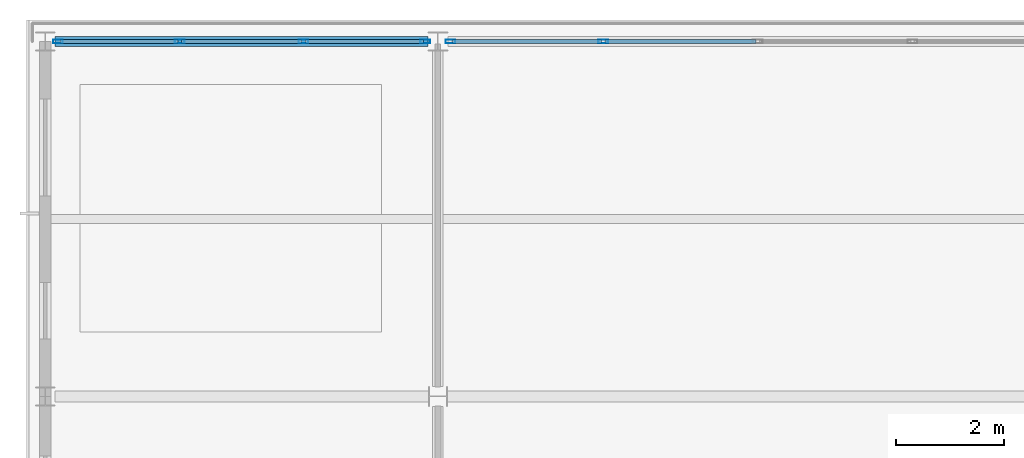
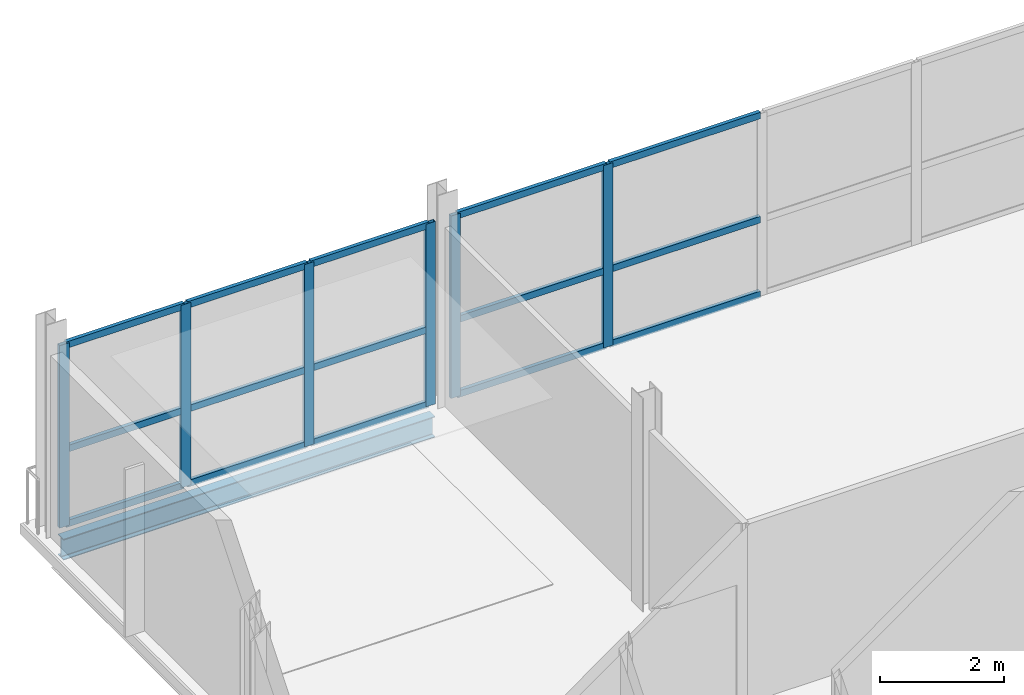
# One storey, part 7 of 17: 21 members, 1 beam, 2 elements without a shape of their own.
"""IFC4 building model written with IfcOpenShell, lengths in metres."""

import ifcopenshell
import ifcopenshell.guid

model = None  # the IFC model being written
_history = None  # IfcOwnerHistory: only IFC2X3 demands one
_inside = {}  # id of a spatial element -> (the spatial element, [elements in it])
_under = {}  # id of a project, library or spatial element -> (it, [spatial elements below it])
_declared = {}  # id of a project -> (the project, [libraries it declares])
_typed = {}  # id of a type object -> (the type object, [elements of that type])
_made_of = {}  # id of a material, layer set ... -> (it, [elements and type objects made of it])


def new_model(schema):
    """Start an empty IFC model of exactly this schema.

    Asked for "IFC4X3", IfcOpenShell would pick the latest addendum, in which some entities
    have other attributes; the version numbers below select the first issue.
    IFC2X3 requires an IfcOwnerHistory on every rooted entity: one is made here for all.
    """
    global model, _history
    if schema == "IFC4X3":
        model = ifcopenshell.file(schema_version=(4, 3, 0, 0))
    else:
        model = ifcopenshell.file(schema=schema)
    _inside.clear()
    _under.clear()
    _declared.clear()
    _typed.clear()
    _made_of.clear()
    _history = None
    if model.schema == "IFC2X3":
        org = make("IfcOrganization", Name="unknown")
        user = make(
            "IfcPersonAndOrganization",
            ThePerson=make("IfcPerson", FamilyName="unknown"),
            TheOrganization=org,
        )
        app = make(
            "IfcApplication",
            ApplicationDeveloper=org,
            Version="unknown",
            ApplicationFullName="unknown",
            ApplicationIdentifier="unknown",
        )
        _history = make(
            "IfcOwnerHistory",
            OwningUser=user,
            OwningApplication=app,
            ChangeAction="ADDED",
            CreationDate=0,
        )
    return model


def make(cls, **values):
    """One entity of the class cls with the attributes given. An attribute that is None is left unset."""
    return model.create_entity(
        cls, **{name: value for name, value in values.items() if value is not None}
    )


def rooted(cls, **values):
    """An entity with a GlobalId (a new one), such as an element, a storey or a relation."""
    return make(cls, GlobalId=ifcopenshell.guid.new(), OwnerHistory=_history, **values)


def si_unit(unit_type, name, prefix=None):
    """IfcSIUnit, for example si_unit("LENGTHUNIT", "METRE", prefix="MILLI")."""
    return make("IfcSIUnit", UnitType=unit_type, Prefix=prefix, Name=name)


def assignment(units):
    """IfcUnitAssignment: the units of a project."""
    return None if units is None else make("IfcUnitAssignment", Units=units)


def point(xyz):
    """IfcCartesianPoint."""
    return None if xyz is None else make("IfcCartesianPoint", Coordinates=xyz)


def direction(xyz):
    """IfcDirection."""
    return None if xyz is None else make("IfcDirection", DirectionRatios=xyz)


def frame(location, z_axis=None, x_axis=None):
    """IfcAxis2Placement3D, a coordinate frame: its origin and axes. An axis left out is left unset."""
    return make(
        "IfcAxis2Placement3D",
        Location=point(location),
        Axis=direction(z_axis),
        RefDirection=direction(x_axis),
    )


def frame_2d(location, x_axis=None):
    """IfcAxis2Placement2D, a coordinate frame in the plane: its origin and x axis."""
    return make(
        "IfcAxis2Placement2D", Location=point(location), RefDirection=direction(x_axis)
    )


def origin():
    """The frame at (0, 0, 0) with its axes left unset."""
    return frame((0.0, 0.0, 0.0))


def origin_2d():
    """The frame at (0, 0) in the plane with its x axis left unset."""
    return frame_2d((0.0, 0.0))


def place(relative_to, where):
    """IfcLocalPlacement: puts the frame where relative to a parent placement (None: the world)."""
    return make(
        "IfcLocalPlacement", PlacementRelTo=relative_to, RelativePlacement=where
    )


def context(
    kind, dimensions, precision=None, world=None, true_north=None, identifier=None
):
    """IfcGeometricRepresentationContext, for example the 3D "Model" context."""
    return make(
        "IfcGeometricRepresentationContext",
        ContextIdentifier=identifier,
        ContextType=kind,
        CoordinateSpaceDimension=dimensions,
        Precision=precision,
        WorldCoordinateSystem=world,
        TrueNorth=true_north,
    )


def subcontext(parent, identifier, kind, view, scale=None):
    """IfcGeometricRepresentationSubContext, for example "Body" below "Model"."""
    return make(
        "IfcGeometricRepresentationSubContext",
        ContextIdentifier=identifier,
        ContextType=kind,
        ParentContext=parent,
        TargetScale=scale,
        TargetView=view,
    )


def project(units=None, contexts=None):
    """IfcProject with its units and contexts."""
    return rooted(
        "IfcProject",
        Name="project",
        RepresentationContexts=contexts,
        UnitsInContext=assignment(units),
    )


def spatial(cls, under=None, at=None, **own):
    """A site, building, storey or space (cls), placed at a placement, below another one or the project."""
    s = rooted(cls, ObjectPlacement=at, **own)
    if under is not None:
        _under.setdefault(under.id(), (under, []))[1].append(s)
    return s


def profile(cls, at=None, kind="AREA", **sizes):
    """A parametric profile (cls). Its sizes go by their IFC names, for example OverallWidth=200.0."""
    return make(cls, ProfileType=kind, Position=at, **sizes)


def hollow_rectangle(**sizes):
    """IfcRectangleHollowProfileDef."""
    return profile("IfcRectangleHollowProfileDef", **sizes)


def i_section(**sizes):
    """IfcIShapeProfileDef."""
    return profile("IfcIShapeProfileDef", **sizes)


def extrude(swept, where, along, depth):
    """IfcExtrudedAreaSolid: the profile swept, set in the frame where, extruded along a direction by depth."""
    return make(
        "IfcExtrudedAreaSolid",
        SweptArea=swept,
        Position=where,
        ExtrudedDirection=direction(along),
        Depth=depth,
    )


def shape(context_of_items, identifier, shape_type, items):
    """IfcShapeRepresentation: the items that make up one representation, for example the "Body"."""
    return make(
        "IfcShapeRepresentation",
        ContextOfItems=context_of_items,
        RepresentationIdentifier=identifier,
        RepresentationType=shape_type,
        Items=items,
    )


def material(Name=None, Category=None):
    """IfcMaterial."""
    return make("IfcMaterial", Name=Name, Category=Category)


def layer(
    of_material, thickness, ventilated=None, Name=None, Category=None, Priority=None
):
    """IfcMaterialLayer: one layer of a wall or slab, of a material (None: an air gap)."""
    return make(
        "IfcMaterialLayer",
        Material=of_material,
        LayerThickness=thickness,
        IsVentilated=ventilated,
        Name=Name,
        Category=Category,
        Priority=Priority,
    )


def layer_set(layers, Name=None):
    """IfcMaterialLayerSet."""
    return make("IfcMaterialLayerSet", MaterialLayers=layers, LayerSetName=Name)


def material_profile(
    of_material, cross_section, Name=None, Category=None, Priority=None
):
    """IfcMaterialProfile: a cross section and its material."""
    return make(
        "IfcMaterialProfile",
        Name=Name,
        Material=of_material,
        Profile=cross_section,
        Priority=Priority,
        Category=Category,
    )


def profile_set(profiles, Name=None, composite=None):
    """IfcMaterialProfileSet."""
    return make(
        "IfcMaterialProfileSet",
        Name=Name,
        MaterialProfiles=profiles,
        CompositeProfile=composite,
    )


def made_of(thing, what):
    """Note that an element or type object is made of a material, layer set ...; save() writes the relation."""
    if what is not None:
        _made_of.setdefault(what.id(), (what, []))[1].append(thing)
    return thing


def type_object(cls, material=None, **own):
    """A type object (cls), such as IfcWallType, which elements share."""
    return made_of(rooted(cls, **own), material)


def element(
    cls,
    number,
    at=None,
    inside=None,
    cuts=None,
    type_object=None,
    material=None,
    context=None,
    identifier="Body",
    shape_type=None,
    held_by="IfcProductDefinitionShape",
    body=None,
    shapes=None,
    **own,
):
    """One element of the class cls, such as IfcWall. Its Tag is "e" and its number.

    at: its placement. inside: the storey or other place that contains it. cuts: it is an
    opening in that element (IfcRelVoidsElement). A single representation is given by context,
    identifier, shape_type and body (its items); several are given by shapes. held_by: the class
    of the entity that holds the representations. save() writes the other relations.
    """
    e = rooted(cls, Tag="e%d" % number, ObjectPlacement=at, **own)
    if body is not None:
        shapes = [shape(context, identifier, shape_type, body)]
    if shapes is not None:
        e.Representation = make(held_by, Representations=shapes)
    if inside is not None:
        _inside.setdefault(inside.id(), (inside, []))[1].append(e)
    if cuts is not None:
        rooted(
            "IfcRelVoidsElement", RelatingBuildingElement=cuts, RelatedOpeningElement=e
        )
    if type_object is not None:
        _typed.setdefault(type_object.id(), (type_object, []))[1].append(e)
    return made_of(e, material)


def aggregate(whole, parts):
    """IfcRelAggregates: a whole, such as a stair, and the parts it consists of."""
    return rooted("IfcRelAggregates", RelatingObject=whole, RelatedObjects=parts)


def save(model, path):
    """Write the relations noted so far, then the file.

    IfcRelAggregates (storeys below a building ...), IfcRelContainedInSpatialStructure (elements
    in a storey), IfcRelDefinesByType, IfcRelAssociatesMaterial and IfcRelDeclares: one each for
    every whole, place, type object, material and project.
    """
    for whole, parts in _under.values():
        aggregate(whole, parts)
    for where, things in _inside.values():
        rooted(
            "IfcRelContainedInSpatialStructure",
            RelatedElements=things,
            RelatingStructure=where,
        )
    for kind, things in _typed.values():
        rooted("IfcRelDefinesByType", RelatedObjects=things, RelatingType=kind)
    for what, things in _made_of.values():
        rooted("IfcRelAssociatesMaterial", RelatedObjects=things, RelatingMaterial=what)
    for by, libraries in _declared.values():
        rooted("IfcRelDeclares", RelatingContext=by, RelatedDefinitions=libraries)
    model.write(path)


model = new_model("IFC4")

# Units and contexts
model_context = context("Model", 3, precision=1e-05, world=origin(), true_north=direction((0.0, 1.0)))
body_context = subcontext(model_context, "Body", "Model", "MODEL_VIEW")
ifc_project = project(units=[si_unit("LENGTHUNIT", "METRE"), si_unit("AREAUNIT", "SQUARE_METRE"), si_unit("VOLUMEUNIT", "CUBIC_METRE"), si_unit("PLANEANGLEUNIT", "RADIAN"), si_unit("MASSUNIT", "GRAM", prefix="KILO")], contexts=[model_context])

# Site, building, storey
site_placement = place(None, origin())
site = spatial("IfcSite", under=ifc_project, at=site_placement, CompositionType="ELEMENT")
building_placement = place(site_placement, origin())
building = spatial("IfcBuilding", under=site, at=building_placement, Name="Quillay Park Conservatory", CompositionType="ELEMENT")
storey_placement = place(building_placement, frame((0.0, 0.0, 51.89990234375)))
storey = spatial("IfcBuildingStorey", under=building, at=storey_placement, Name="L12", CompositionType="ELEMENT", Elevation=51.89990234375)

# Curtain wall, members
ifc_material_1 = material(Name="Thermally Broken Anodised Aluminium 6063-T6", Category="aluminium")
ifc_layer = layer(ifc_material_1, 0.179931640625)
ifc_layer_set = layer_set([ifc_layer], Name="UNITISED CURTAIN WALL TOWER (Thermally Broken Anodised Aluminium 6063-T6)")
curtain_wall_type = type_object("IfcCurtainWallType", Name="UNITISED CURTAIN WALL TOWER", PredefinedType="USERDEFINED", material=ifc_layer_set)
curtain_wall_1_placement = place(storey_placement, origin())
curtain_wall_1 = element("IfcCurtainWall", 1, at=curtain_wall_1_placement, inside=storey, type_object=curtain_wall_type, Name="L12 Unitised Curtain Wall 119", ObjectType="UNITISED CURTAIN WALL", PredefinedType="USERDEFINED")
ifc_material_2 = material(Name="Thermally Broken Anodised Aluminium 6063-T6", Category="aluminium")
ifc_material_profile_1 = material_profile(ifc_material_2, hollow_rectangle(XDim=0.070068359375, YDim=0.179931640625, WallThickness=0.00390625, at=origin_2d()), Name="AL70x180x4")
ifc_profile_set_1 = profile_set([ifc_material_profile_1], Name="Thermally Broken Anodised Aluminium 6063-T6")
member_type_1 = type_object("IfcMemberType", Name="CURTAIN WALL MULLION 70 X180", PredefinedType="MULLION", material=ifc_profile_set_1)
member_1_placement = place(storey_placement, frame((0.784912109375, 113.39990234375, 0.0), z_axis=(0.0, 0.0, 1.0), x_axis=(0.0, 1.0, 0.0)))
member_1 = element("IfcMember", 2, at=member_1_placement, type_object=member_type_1, Name="CW-T1 mullion 1", PredefinedType="MULLION", context=body_context, shape_type="SweptSolid", body=[
    extrude(hollow_rectangle(XDim=0.070068359375, YDim=0.179931640625, WallThickness=0.00390625, at=origin_2d()), origin(), (0.0, 0.0, 1.0), 3.59912109375),
])
member_2_placement = place(storey_placement, frame((3.050048828125, 113.39990234375, 0.0), z_axis=(0.0, 0.0, 1.0), x_axis=(0.0, 1.0, 0.0)))
member_2 = element("IfcMember", 3, at=member_2_placement, type_object=member_type_1, Name="CW-T1 mullion 2", PredefinedType="MULLION", context=body_context, shape_type="SweptSolid", body=[
    extrude(hollow_rectangle(XDim=0.070068359375, YDim=0.179931640625, WallThickness=0.00390625, at=origin_2d()), origin(), (0.0, 0.0, 1.0), 3.59912109375),
])
member_3_placement = place(storey_placement, frame((5.35009765625, 113.39990234375, 0.0), z_axis=(0.0, 0.0, 1.0), x_axis=(0.0, 1.0, 0.0)))
member_3 = element("IfcMember", 4, at=member_3_placement, type_object=member_type_1, Name="CW-T1 mullion 3", PredefinedType="MULLION", context=body_context, shape_type="SweptSolid", body=[
    extrude(hollow_rectangle(XDim=0.070068359375, YDim=0.179931640625, WallThickness=0.00390625, at=origin_2d()), origin(), (0.0, 0.0, 1.0), 3.59912109375),
])
member_4_placement = place(storey_placement, frame((7.614990234375, 113.39990234375, 0.0), z_axis=(0.0, 0.0, 1.0), x_axis=(0.0, 1.0, 0.0)))
member_4 = element("IfcMember", 5, at=member_4_placement, type_object=member_type_1, Name="CW-T1 mullion 4", PredefinedType="MULLION", context=body_context, shape_type="SweptSolid", body=[
    extrude(hollow_rectangle(XDim=0.070068359375, YDim=0.179931640625, WallThickness=0.00390625, at=origin_2d()), origin(), (0.0, 0.0, 1.0), 3.59912109375),
])

curtain_wall_2_placement = place(storey_placement, origin())
curtain_wall_2 = element("IfcCurtainWall", 6, at=curtain_wall_2_placement, inside=storey, type_object=curtain_wall_type, Name="L12 Unitised Curtain Wall 120", ObjectType="UNITISED CURTAIN WALL", PredefinedType="USERDEFINED")
member_5_placement = place(storey_placement, frame((8.0849609375, 113.39990234375, 0.0), z_axis=(0.0, 0.0, 1.0), x_axis=(0.0, 1.0, 0.0)))
member_5 = element("IfcMember", 7, at=member_5_placement, type_object=member_type_1, Name="CW-T1 mullion 1", PredefinedType="MULLION", context=body_context, shape_type="SweptSolid", body=[
    extrude(hollow_rectangle(XDim=0.070068359375, YDim=0.179931640625, WallThickness=0.00390625, at=origin_2d()), origin(), (0.0, 0.0, 1.0), 3.59912109375),
])
member_6_placement = place(storey_placement, frame((10.925048828125, 113.39990234375, 0.0), z_axis=(0.0, 0.0, 1.0), x_axis=(0.0, 1.0, 0.0)))
member_6 = element("IfcMember", 8, at=member_6_placement, type_object=member_type_1, Name="CW-T1 mullion 2", PredefinedType="MULLION", context=body_context, shape_type="SweptSolid", body=[
    extrude(hollow_rectangle(XDim=0.070068359375, YDim=0.179931640625, WallThickness=0.00390625, at=origin_2d()), origin(), (0.0, 0.0, 1.0), 3.59912109375),
])

# Member
ifc_material_3 = material(Name="Thermally Broken Anodised Aluminium 6063-T6", Category="aluminium")
ifc_material_profile_2 = material_profile(ifc_material_3, hollow_rectangle(XDim=0.070068359375, YDim=0.1298828125, WallThickness=0.003173828125, at=origin_2d()), Name="AL70x130x3.2")
ifc_profile_set_2 = profile_set([ifc_material_profile_2], Name="Thermally Broken Anodised Aluminium 6063-T6")
member_type_2 = type_object("IfcMemberType", Name="CURTAIN WALL TRANSOM 70 X130", PredefinedType="USERDEFINED", material=ifc_profile_set_2)
member_7_placement = place(storey_placement, frame((0.820068359375, 113.39990234375, 0.03515625), z_axis=(1.0, 0.0, 0.0), x_axis=(0.0, 1.0, 0.0)))
member_7 = element("IfcMember", 9, at=member_7_placement, type_object=member_type_2, Name="CW-T1 transom 1.1", ObjectType="TRANSOM", PredefinedType="USERDEFINED", context=body_context, shape_type="SweptSolid", body=[
    extrude(hollow_rectangle(XDim=0.070068359375, YDim=0.1298828125, WallThickness=0.003173828125, at=origin_2d()), origin(), (0.0, 0.0, 1.0), 2.19482421875),
])

member_8_placement = place(storey_placement, frame((0.820068359375, 113.39990234375, 1.51171875), z_axis=(1.0, 0.0, 0.0), x_axis=(0.0, 1.0, 0.0)))
member_8 = element("IfcMember", 10, at=member_8_placement, type_object=member_type_2, Name="CW-T1 transom 1.2", ObjectType="TRANSOM", PredefinedType="USERDEFINED", context=body_context, shape_type="SweptSolid", body=[
    extrude(hollow_rectangle(XDim=0.070068359375, YDim=0.1298828125, WallThickness=0.003173828125, at=origin_2d()), origin(), (0.0, 0.0, 1.0), 2.19482421875),
])

member_9_placement = place(storey_placement, frame((0.820068359375, 113.39990234375, 3.564208984375), z_axis=(1.0, 0.0, 0.0), x_axis=(0.0, 1.0, 0.0)))
member_9 = element("IfcMember", 11, at=member_9_placement, type_object=member_type_2, Name="CW-T1 transom 1.3", ObjectType="TRANSOM", PredefinedType="USERDEFINED", context=body_context, shape_type="SweptSolid", body=[
    extrude(hollow_rectangle(XDim=0.070068359375, YDim=0.1298828125, WallThickness=0.003173828125, at=origin_2d()), origin(), (0.0, 0.0, 1.0), 2.19482421875),
])

member_10_placement = place(storey_placement, frame((3.0849609375, 113.39990234375, 0.03515625), z_axis=(1.0, 0.0, 0.0), x_axis=(0.0, 1.0, 0.0)))
member_10 = element("IfcMember", 12, at=member_10_placement, type_object=member_type_2, Name="CW-T1 transom 2.1", ObjectType="TRANSOM", PredefinedType="USERDEFINED", context=body_context, shape_type="SweptSolid", body=[
    extrude(hollow_rectangle(XDim=0.070068359375, YDim=0.1298828125, WallThickness=0.003173828125, at=origin_2d()), origin(), (0.0, 0.0, 1.0), 2.22998046875),
])

member_11_placement = place(storey_placement, frame((3.0849609375, 113.39990234375, 1.51171875), z_axis=(1.0, 0.0, 0.0), x_axis=(0.0, 1.0, 0.0)))
member_11 = element("IfcMember", 13, at=member_11_placement, type_object=member_type_2, Name="CW-T1 transom 2.2", ObjectType="TRANSOM", PredefinedType="USERDEFINED", context=body_context, shape_type="SweptSolid", body=[
    extrude(hollow_rectangle(XDim=0.070068359375, YDim=0.1298828125, WallThickness=0.003173828125, at=origin_2d()), origin(), (0.0, 0.0, 1.0), 2.22998046875),
])

member_12_placement = place(storey_placement, frame((3.0849609375, 113.39990234375, 3.564208984375), z_axis=(1.0, 0.0, 0.0), x_axis=(0.0, 1.0, 0.0)))
member_12 = element("IfcMember", 14, at=member_12_placement, type_object=member_type_2, Name="CW-T1 transom 2.3", ObjectType="TRANSOM", PredefinedType="USERDEFINED", context=body_context, shape_type="SweptSolid", body=[
    extrude(hollow_rectangle(XDim=0.070068359375, YDim=0.1298828125, WallThickness=0.003173828125, at=origin_2d()), origin(), (0.0, 0.0, 1.0), 2.22998046875),
])

member_13_placement = place(storey_placement, frame((5.385009765625, 113.39990234375, 0.03515625), z_axis=(1.0, 0.0, 0.0), x_axis=(0.0, 1.0, 0.0)))
member_13 = element("IfcMember", 15, at=member_13_placement, type_object=member_type_2, Name="CW-T1 transom 3.1", ObjectType="TRANSOM", PredefinedType="USERDEFINED", context=body_context, shape_type="SweptSolid", body=[
    extrude(hollow_rectangle(XDim=0.070068359375, YDim=0.1298828125, WallThickness=0.003173828125, at=origin_2d()), origin(), (0.0, 0.0, 1.0), 2.195068359375),
])

member_14_placement = place(storey_placement, frame((5.385009765625, 113.39990234375, 1.51171875), z_axis=(1.0, 0.0, 0.0), x_axis=(0.0, 1.0, 0.0)))
member_14 = element("IfcMember", 16, at=member_14_placement, type_object=member_type_2, Name="CW-T1 transom 3.2", ObjectType="TRANSOM", PredefinedType="USERDEFINED", context=body_context, shape_type="SweptSolid", body=[
    extrude(hollow_rectangle(XDim=0.070068359375, YDim=0.1298828125, WallThickness=0.003173828125, at=origin_2d()), origin(), (0.0, 0.0, 1.0), 2.195068359375),
])

member_15_placement = place(storey_placement, frame((5.385009765625, 113.39990234375, 3.564208984375), z_axis=(1.0, 0.0, 0.0), x_axis=(0.0, 1.0, 0.0)))
member_15 = element("IfcMember", 17, at=member_15_placement, type_object=member_type_2, Name="CW-T1 transom 3.3", ObjectType="TRANSOM", PredefinedType="USERDEFINED", context=body_context, shape_type="SweptSolid", body=[
    extrude(hollow_rectangle(XDim=0.070068359375, YDim=0.1298828125, WallThickness=0.003173828125, at=origin_2d()), origin(), (0.0, 0.0, 1.0), 2.195068359375),
])

aggregate(curtain_wall_1, [member_1, member_2, member_3, member_4, member_7, member_8, member_9, member_10, member_11, member_12, member_13, member_14, member_15])

member_16_placement = place(storey_placement, frame((8.1201171875, 113.39990234375, 0.03515625), z_axis=(1.0, 0.0, 0.0), x_axis=(0.0, 1.0, 0.0)))
member_16 = element("IfcMember", 18, at=member_16_placement, type_object=member_type_2, Name="CW-T1 transom 1.1", ObjectType="TRANSOM", PredefinedType="USERDEFINED", context=body_context, shape_type="SweptSolid", body=[
    extrude(hollow_rectangle(XDim=0.070068359375, YDim=0.1298828125, WallThickness=0.003173828125, at=origin_2d()), origin(), (0.0, 0.0, 1.0), 2.769775390625),
])

member_17_placement = place(storey_placement, frame((8.1201171875, 113.39990234375, 1.51171875), z_axis=(1.0, 0.0, 0.0), x_axis=(0.0, 1.0, 0.0)))
member_17 = element("IfcMember", 19, at=member_17_placement, type_object=member_type_2, Name="CW-T1 transom 1.2", ObjectType="TRANSOM", PredefinedType="USERDEFINED", context=body_context, shape_type="SweptSolid", body=[
    extrude(hollow_rectangle(XDim=0.070068359375, YDim=0.1298828125, WallThickness=0.003173828125, at=origin_2d()), origin(), (0.0, 0.0, 1.0), 2.769775390625),
])

member_18_placement = place(storey_placement, frame((8.1201171875, 113.39990234375, 3.564208984375), z_axis=(1.0, 0.0, 0.0), x_axis=(0.0, 1.0, 0.0)))
member_18 = element("IfcMember", 20, at=member_18_placement, type_object=member_type_2, Name="CW-T1 transom 1.3", ObjectType="TRANSOM", PredefinedType="USERDEFINED", context=body_context, shape_type="SweptSolid", body=[
    extrude(hollow_rectangle(XDim=0.070068359375, YDim=0.1298828125, WallThickness=0.003173828125, at=origin_2d()), origin(), (0.0, 0.0, 1.0), 2.769775390625),
])

member_19_placement = place(storey_placement, frame((10.9599609375, 113.39990234375, 0.03515625), z_axis=(1.0, 0.0, 0.0), x_axis=(0.0, 1.0, 0.0)))
member_19 = element("IfcMember", 21, at=member_19_placement, type_object=member_type_2, Name="CW-T1 transom 2.1", ObjectType="TRANSOM", PredefinedType="USERDEFINED", context=body_context, shape_type="SweptSolid", body=[
    extrude(hollow_rectangle(XDim=0.070068359375, YDim=0.1298828125, WallThickness=0.003173828125, at=origin_2d()), origin(), (0.0, 0.0, 1.0), 2.804931640625),
])

member_20_placement = place(storey_placement, frame((10.9599609375, 113.39990234375, 1.51171875), z_axis=(1.0, 0.0, 0.0), x_axis=(0.0, 1.0, 0.0)))
member_20 = element("IfcMember", 22, at=member_20_placement, type_object=member_type_2, Name="CW-T1 transom 2.2", ObjectType="TRANSOM", PredefinedType="USERDEFINED", context=body_context, shape_type="SweptSolid", body=[
    extrude(hollow_rectangle(XDim=0.070068359375, YDim=0.1298828125, WallThickness=0.003173828125, at=origin_2d()), origin(), (0.0, 0.0, 1.0), 2.804931640625),
])

member_21_placement = place(storey_placement, frame((10.9599609375, 113.39990234375, 3.564208984375), z_axis=(1.0, 0.0, 0.0), x_axis=(0.0, 1.0, 0.0)))
member_21 = element("IfcMember", 23, at=member_21_placement, type_object=member_type_2, Name="CW-T1 transom 2.3", ObjectType="TRANSOM", PredefinedType="USERDEFINED", context=body_context, shape_type="SweptSolid", body=[
    extrude(hollow_rectangle(XDim=0.070068359375, YDim=0.1298828125, WallThickness=0.003173828125, at=origin_2d()), origin(), (0.0, 0.0, 1.0), 2.804931640625),
])

aggregate(curtain_wall_2, [member_5, member_6, member_16, member_17, member_18, member_19, member_20, member_21])

# Beam
ifc_material_4 = material(Name="Steel ASTM A992 Grade 50", Category="steel")
ifc_material_profile_3 = material_profile(ifc_material_4, i_section(OverallWidth=0.179931640625, OverallDepth=0.4130859375, WebThickness=0.009765625, FlangeThickness=0.01611328125, FilletRadius=0.011962890625, at=origin_2d()), Name="W410x74")
ifc_profile_set_3 = profile_set([ifc_material_profile_3], Name="Steel ASTM A992 Grade 50")
beam_type = type_object("IfcBeamType", Name="PERIMETER SPANDREL BEAM W410 X74", PredefinedType="SPANDREL", material=ifc_profile_set_3)
beam_placement = place(storey_placement, frame((0.734619140625, 113.39990234375, -0.406494140625), z_axis=(1.0, 0.0, 0.0), x_axis=(0.0, 1.0, 0.0)))
element("IfcBeam", 24, at=beam_placement, inside=storey, type_object=beam_type, Name="L12 beam BM-SP-0842", PredefinedType="SPANDREL", context=body_context, shape_type="SweptSolid", body=[
    extrude(i_section(OverallWidth=0.179931640625, OverallDepth=0.4130859375, WebThickness=0.009765625, FlangeThickness=0.01611328125, FilletRadius=0.011962890625, at=origin_2d()), origin(), (0.0, 0.0, 1.0), 6.930908203125),
])

save(model, "model.ifc")
